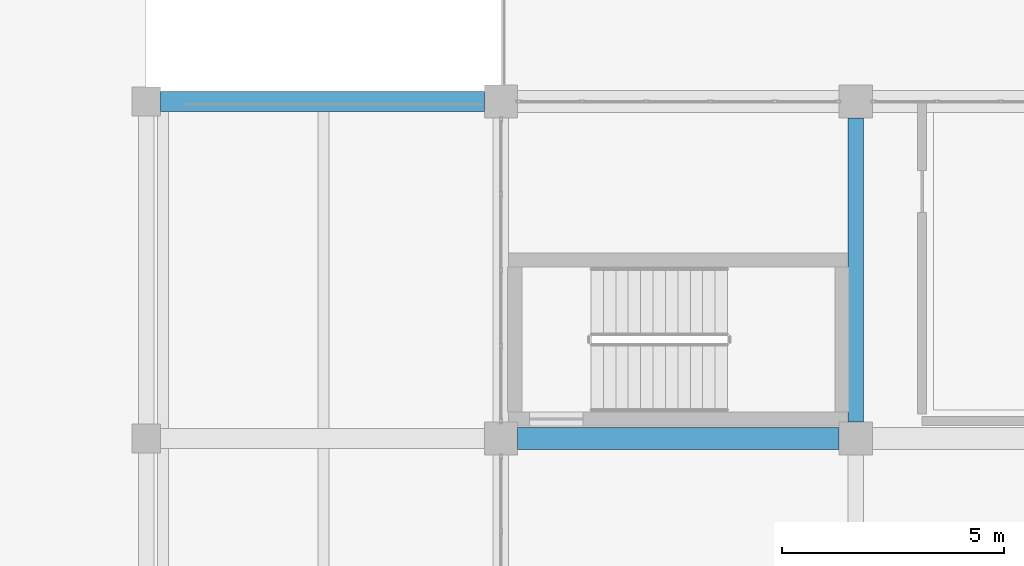
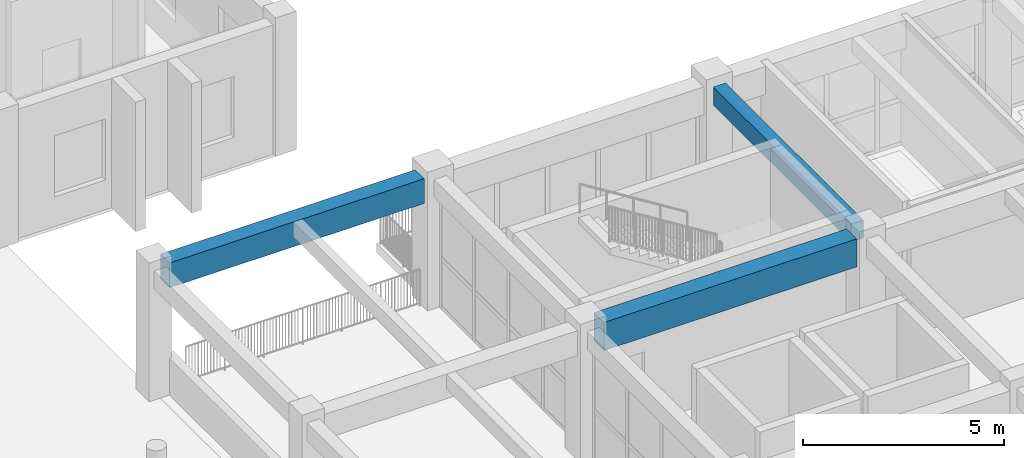
# One storey, part 12 of 63: 3 beams.
"""IFC4 building model written with IfcOpenShell, lengths in metres."""

from ifc_helpers import new_model, si_unit, direction, frame, origin, origin_2d, place, context, subcontext, project, spatial, rectangle, extrude, material, material_profile, profile_set, type_object, element, save


model = new_model("IFC4")

# Units and contexts
model_context = context("Model", 3, precision=1e-05, world=origin(), true_north=direction((0.0, 1.0)))
body_context = subcontext(model_context, "Body", "Model", "MODEL_VIEW")
ifc_project = project(units=[si_unit("LENGTHUNIT", "METRE"), si_unit("AREAUNIT", "SQUARE_METRE"), si_unit("VOLUMEUNIT", "CUBIC_METRE"), si_unit("PLANEANGLEUNIT", "RADIAN"), si_unit("MASSUNIT", "GRAM", prefix="KILO")], contexts=[model_context])

# Site, building, storey
site_placement = place(None, origin())
site = spatial("IfcSite", under=ifc_project, at=site_placement, CompositionType="ELEMENT")
building_placement = place(site_placement, origin())
building = spatial("IfcBuilding", under=site, at=building_placement, Name="Zantavel Square City Hall", CompositionType="ELEMENT")
storey_placement = place(building_placement, frame((0.0, 0.0, 14.699951171875)))
storey = spatial("IfcBuildingStorey", under=building, at=storey_placement, Name="L04", CompositionType="ELEMENT", Elevation=14.699951171875)

# Beams
ifc_material_1 = material(Name="Concrete C40/50", Category="concrete")
ifc_material_profile_1 = material_profile(ifc_material_1, rectangle(XDim=0.5, YDim=0.85009765625, at=origin_2d()), Name="RC 500x850")
ifc_profile_set_1 = profile_set([ifc_material_profile_1], Name="Concrete C40/50")
beam_type_1 = type_object("IfcBeamType", Name="Council Chamber Girder RC 500x850 C40/50", PredefinedType="BEAM", material=ifc_profile_set_1)
beam_1_placement = place(storey_placement, frame((64.375, 60.800048828125, 3.4951171875), z_axis=(1.0, 0.0, 0.0), x_axis=(0.0, 1.0, 0.0)))
element("IfcBeam", 1, at=beam_1_placement, inside=storey, type_object=beam_type_1, Name="L04 Girder BMX-L04-0640-0608", PredefinedType="BEAM", context=body_context, shape_type="SweptSolid", body=[
    extrude(rectangle(XDim=0.5, YDim=0.85009765625, at=origin_2d()), origin(), (0.0, 0.0, 1.0), 7.25),
])
ifc_material_2 = material(Name="Concrete C35/45", Category="concrete")
ifc_material_profile_2 = material_profile(ifc_material_2, rectangle(XDim=0.449951171875, YDim=0.75, at=origin_2d()), Name="RC 450x750")
ifc_profile_set_2 = profile_set([ifc_material_profile_2], Name="Concrete C35/45")
beam_type_2 = type_object("IfcBeamType", Name="Primary Girder RC 450x750 C35/45", PredefinedType="BEAM", material=ifc_profile_set_2)
beam_2_placement = place(storey_placement, frame((56.324951171875, 68.39990234375, 3.545166015625), z_axis=(1.0, 0.0, 0.0), x_axis=(0.0, 1.0, 0.0)))
element("IfcBeam", 2, at=beam_2_placement, inside=storey, type_object=beam_type_2, Name="L04 Girder BMX-L04-0560-0684", PredefinedType="BEAM", context=body_context, shape_type="SweptSolid", body=[
    extrude(rectangle(XDim=0.449951171875, YDim=0.75, at=origin_2d()), origin(), (0.0, 0.0, 1.0), 7.300048828125),
])
ifc_material_profile_3 = material_profile(ifc_material_2, rectangle(XDim=0.35009765625, YDim=0.550048828125, at=origin_2d()), Name="RC 350x550")
ifc_profile_set_3 = profile_set([ifc_material_profile_3], Name="Concrete C35/45")
beam_type_3 = type_object("IfcBeamType", Name="Secondary Beam RC 350x550 C35/45", PredefinedType="BEAM", material=ifc_profile_set_3)
beam_3_placement = place(storey_placement, frame((72.0, 61.175048828125, 3.64501953125), z_axis=(0.0, 1.0, 0.0), x_axis=(-1.0, 0.0, 0.0)))
element("IfcBeam", 3, at=beam_3_placement, inside=storey, type_object=beam_type_3, Name="L04 Beam BMY-L04-0720-0608", PredefinedType="BEAM", context=body_context, shape_type="SweptSolid", body=[
    extrude(rectangle(XDim=0.35009765625, YDim=0.550048828125, at=origin_2d()), origin(), (0.0, 0.0, 1.0), 6.849853515625),
])

save(model, "model.ifc")
